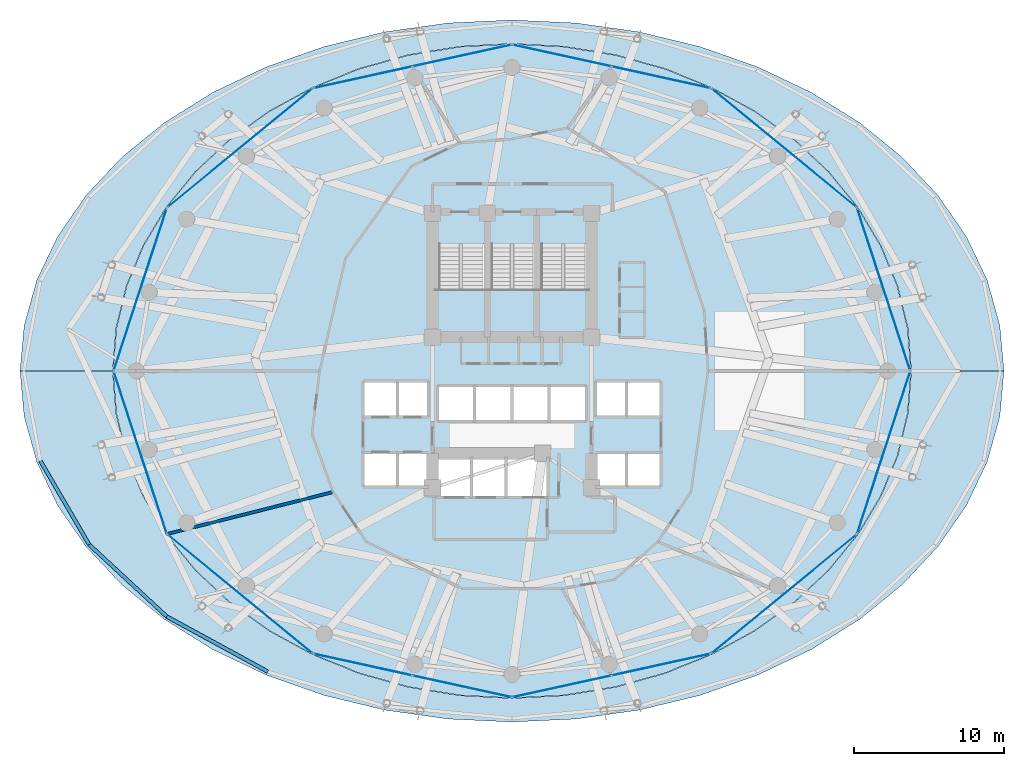
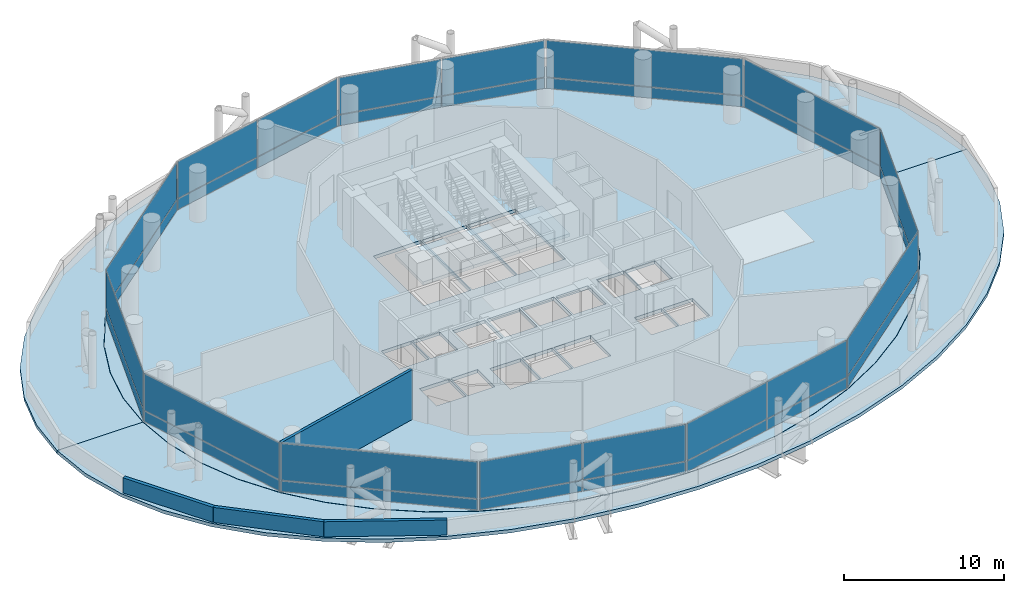
# One storey, part 28 of 37: 32 plates, 6 slabs, 4 walls, 15 elements without a shape of their own.
"""IFC4 building model written with IfcOpenShell, lengths in metres."""

from ifc_helpers import new_model, si_unit, direction, frame, frame_2d, origin, origin_2d, place, context, subcontext, project, spatial, polyline, rectangle, outline, extrude, material, layer, layer_set, type_object, element, aggregate, save


model = new_model("IFC4")

# Units and contexts
model_context = context("Model", 3, precision=1e-05, world=origin(), true_north=direction((0.0, 1.0)))
body_context = subcontext(model_context, "Body", "Model", "MODEL_VIEW")
ifc_project = project(units=[si_unit("LENGTHUNIT", "METRE"), si_unit("AREAUNIT", "SQUARE_METRE"), si_unit("VOLUMEUNIT", "CUBIC_METRE"), si_unit("PLANEANGLEUNIT", "RADIAN"), si_unit("MASSUNIT", "GRAM", prefix="KILO")], contexts=[model_context])

# Site, building, storey
site_placement = place(None, origin())
site = spatial("IfcSite", under=ifc_project, at=site_placement, CompositionType="ELEMENT")
building_placement = place(site_placement, origin())
building = spatial("IfcBuilding", under=site, at=building_placement, Name="Nuhasar Tower", CompositionType="ELEMENT")
storey_placement = place(building_placement, frame((0.0, 0.0, 21.0)))
storey = spatial("IfcBuildingStorey", under=building, at=storey_placement, Name="L04", CompositionType="ELEMENT", Elevation=21.0)

# Curtain wall, plate
ifc_material_1 = material(Name="Aluminium 6063-T6", Category="aluminium")
ifc_layer_1 = layer(ifc_material_1, 0.199951171875)
ifc_layer_set_1 = layer_set([ifc_layer_1], Name="Aluminium 6063-T6")
curtain_wall_type = type_object("IfcCurtainWallType", Name="CW-Z1-OFF", PredefinedType="NOTDEFINED", material=ifc_layer_set_1)
curtain_wall_1_placement = place(storey_placement, origin())
curtain_wall_1 = element("IfcCurtainWall", 1, at=curtain_wall_1_placement, inside=storey, type_object=curtain_wall_type, Name="L04 Unitised Curtain Wall 01", PredefinedType="NOTDEFINED")
ifc_material_2 = material(Name="Glass Double Low-E", Category="glass")
ifc_layer_2 = layer(ifc_material_2, 0.028076171875)
ifc_layer_set_2 = layer_set([ifc_layer_2], Name="Glass Double Low-E")
plate_type_1 = type_object("IfcPlateType", Name="CW-PANEL-GLZ", PredefinedType="CURTAIN_PANEL", material=ifc_layer_set_2)
plate_1_placement = place(storey_placement, frame((63.781005859375, 32.239990234375, 0.9326171875), z_axis=(0.0, 0.0, 1.0), x_axis=(-0.310823849997, 0.950467534571, 0.0)))
plate_1 = element("IfcPlate", 2, at=plate_1_placement, type_object=plate_type_1, Name="CW-Z1 panel 1.2", PredefinedType="CURTAIN_PANEL", context=body_context, shape_type="SweptSolid", body=[
    extrude(rectangle(XDim=11.31689453125, YDim=0.028076171875, at=origin_2d()), origin(), (0.0, 0.0, 1.0), 2.79248046875),
])

curtain_wall_2_placement = place(storey_placement, origin())
curtain_wall_2 = element("IfcCurtainWall", 3, at=curtain_wall_2_placement, inside=storey, type_object=curtain_wall_type, Name="L04 Unitised Curtain Wall 02", PredefinedType="NOTDEFINED")
plate_2_placement = place(storey_placement, frame((57.14111328125, 41.66259765625, 0.9326171875), z_axis=(0.0, 0.0, 1.0), x_axis=(-0.773542364946, 0.633744593376, 0.0)))
plate_2 = element("IfcPlate", 4, at=plate_2_placement, type_object=plate_type_1, Name="CW-Z1 panel 1.2", PredefinedType="CURTAIN_PANEL", context=body_context, shape_type="SweptSolid", body=[
    extrude(rectangle(XDim=12.438232421875, YDim=0.028076171875, at=origin_2d()), origin(), (0.0, 0.0, 1.0), 2.79248046875),
])

# Curtain wall, plates
curtain_wall_3_placement = place(storey_placement, origin())
curtain_wall_3 = element("IfcCurtainWall", 5, at=curtain_wall_3_placement, inside=storey, type_object=curtain_wall_type, Name="L04 Unitised Curtain Wall 03", PredefinedType="NOTDEFINED")
plate_3_placement = place(storey_placement, frame((48.944091796875, 46.377197265625, 0.9326171875), z_axis=(0.0, 0.0, 1.0), x_axis=(-0.976746221544, 0.214398737637, 0.0)))
plate_3 = element("IfcPlate", 6, at=plate_3_placement, type_object=plate_type_1, Name="CW-Z1 panel 1.2", PredefinedType="CURTAIN_PANEL", context=body_context, shape_type="SweptSolid", body=[
    extrude(rectangle(XDim=6.70068359375, YDim=0.028076171875, at=origin_2d()), origin(), (0.0, 0.0, 1.0), 2.79248046875),
])
plate_4_placement = place(storey_placement, frame((42.3359375, 47.827880859375, 0.9326171875), z_axis=(0.0, 0.0, 1.0), x_axis=(-0.976746221544, 0.214398737637, 0.0)))
plate_4 = element("IfcPlate", 7, at=plate_4_placement, type_object=plate_type_1, Name="CW-Z1 panel 2.2", PredefinedType="CURTAIN_PANEL", context=body_context, shape_type="SweptSolid", body=[
    extrude(rectangle(XDim=6.70068359375, YDim=0.028076171875, at=origin_2d()), origin(), (0.0, 0.0, 1.0), 2.79248046875),
])

curtain_wall_4_placement = place(storey_placement, origin())
curtain_wall_4 = element("IfcCurtainWall", 8, at=curtain_wall_4_placement, inside=storey, type_object=curtain_wall_type, Name="L04 Unitised Curtain Wall 04", PredefinedType="NOTDEFINED")
plate_5_placement = place(storey_placement, frame((35.6640625, 47.827880859375, 0.9326171875), z_axis=(0.0, 0.0, 1.0), x_axis=(-0.976746221544, -0.214398737637, 0.0)))
plate_5 = element("IfcPlate", 9, at=plate_5_placement, type_object=plate_type_1, Name="CW-Z1 panel 1.2", PredefinedType="CURTAIN_PANEL", context=body_context, shape_type="SweptSolid", body=[
    extrude(rectangle(XDim=6.70068359375, YDim=0.028076171875, at=origin_2d()), origin(), (0.0, 0.0, 1.0), 2.79248046875),
])
plate_6_placement = place(storey_placement, frame((29.055908203125, 46.377197265625, 0.9326171875), z_axis=(0.0, 0.0, 1.0), x_axis=(-0.976746221544, -0.214398737637, 0.0)))
plate_6 = element("IfcPlate", 10, at=plate_6_placement, type_object=plate_type_1, Name="CW-Z1 panel 2.2", PredefinedType="CURTAIN_PANEL", context=body_context, shape_type="SweptSolid", body=[
    extrude(rectangle(XDim=6.70068359375, YDim=0.028076171875, at=origin_2d()), origin(), (0.0, 0.0, 1.0), 2.79248046875),
])

# Curtain wall, plate
curtain_wall_5_placement = place(storey_placement, origin())
curtain_wall_5 = element("IfcCurtainWall", 11, at=curtain_wall_5_placement, inside=storey, type_object=curtain_wall_type, Name="L04 Unitised Curtain Wall 05", PredefinedType="NOTDEFINED")
plate_7_placement = place(storey_placement, frame((20.85888671875, 41.66259765625, 0.9326171875), z_axis=(0.0, 0.0, 1.0), x_axis=(-0.773542364946, -0.633744593376, 0.0)))
plate_7 = element("IfcPlate", 12, at=plate_7_placement, type_object=plate_type_1, Name="CW-Z1 panel 1.2", PredefinedType="CURTAIN_PANEL", context=body_context, shape_type="SweptSolid", body=[
    extrude(rectangle(XDim=12.438232421875, YDim=0.028076171875, at=origin_2d()), origin(), (0.0, 0.0, 1.0), 2.79248046875),
])

curtain_wall_6_placement = place(storey_placement, origin())
curtain_wall_6 = element("IfcCurtainWall", 13, at=curtain_wall_6_placement, inside=storey, type_object=curtain_wall_type, Name="L04 Unitised Curtain Wall 06", PredefinedType="NOTDEFINED")
plate_8_placement = place(storey_placement, frame((14.218994140625, 32.239990234375, 0.9326171875), z_axis=(0.0, 0.0, 1.0), x_axis=(-0.310823849997, -0.950467534571, 0.0)))
plate_8 = element("IfcPlate", 14, at=plate_8_placement, type_object=plate_type_1, Name="CW-Z1 panel 1.2", PredefinedType="CURTAIN_PANEL", context=body_context, shape_type="SweptSolid", body=[
    extrude(rectangle(XDim=11.31689453125, YDim=0.028076171875, at=origin_2d()), origin(), (0.0, 0.0, 1.0), 2.79248046875),
])

curtain_wall_7_placement = place(storey_placement, origin())
curtain_wall_7 = element("IfcCurtainWall", 15, at=curtain_wall_7_placement, inside=storey, type_object=curtain_wall_type, Name="L04 Unitised Curtain Wall 07", PredefinedType="NOTDEFINED")
plate_9_placement = place(storey_placement, frame((14.218994140625, 21.360107421875, 0.9326171875), z_axis=(0.0, 0.0, 1.0), x_axis=(0.310823849997, -0.950467534571, 0.0)))
plate_9 = element("IfcPlate", 16, at=plate_9_placement, type_object=plate_type_1, Name="CW-Z1 panel 1.2", PredefinedType="CURTAIN_PANEL", context=body_context, shape_type="SweptSolid", body=[
    extrude(rectangle(XDim=11.31689453125, YDim=0.028076171875, at=origin_2d()), origin(), (0.0, 0.0, 1.0), 2.79248046875),
])

curtain_wall_8_placement = place(storey_placement, origin())
curtain_wall_8 = element("IfcCurtainWall", 17, at=curtain_wall_8_placement, inside=storey, type_object=curtain_wall_type, Name="L04 Unitised Curtain Wall 08", PredefinedType="NOTDEFINED")
plate_10_placement = place(storey_placement, frame((20.85888671875, 11.9375, 0.9326171875), z_axis=(0.0, 0.0, 1.0), x_axis=(0.773542364946, -0.633744593376, 0.0)))
plate_10 = element("IfcPlate", 18, at=plate_10_placement, type_object=plate_type_1, Name="CW-Z1 panel 1.2", PredefinedType="CURTAIN_PANEL", context=body_context, shape_type="SweptSolid", body=[
    extrude(rectangle(XDim=12.438232421875, YDim=0.028076171875, at=origin_2d()), origin(), (0.0, 0.0, 1.0), 2.79248046875),
])

# Curtain wall, plates
curtain_wall_9_placement = place(storey_placement, origin())
curtain_wall_9 = element("IfcCurtainWall", 19, at=curtain_wall_9_placement, inside=storey, type_object=curtain_wall_type, Name="L04 Unitised Curtain Wall 09", PredefinedType="NOTDEFINED")
plate_11_placement = place(storey_placement, frame((29.055908203125, 7.22265625, 0.9326171875), z_axis=(0.0, 0.0, 1.0), x_axis=(0.976746221544, -0.214398737637, 0.0)))
plate_11 = element("IfcPlate", 20, at=plate_11_placement, type_object=plate_type_1, Name="CW-Z1 panel 1.2", PredefinedType="CURTAIN_PANEL", context=body_context, shape_type="SweptSolid", body=[
    extrude(rectangle(XDim=6.70068359375, YDim=0.028076171875, at=origin_2d()), origin(), (0.0, 0.0, 1.0), 2.79248046875),
])
plate_12_placement = place(storey_placement, frame((35.6640625, 5.772216796875, 0.9326171875), z_axis=(0.0, 0.0, 1.0), x_axis=(0.976746221544, -0.214398737637, 0.0)))
plate_12 = element("IfcPlate", 21, at=plate_12_placement, type_object=plate_type_1, Name="CW-Z1 panel 2.2", PredefinedType="CURTAIN_PANEL", context=body_context, shape_type="SweptSolid", body=[
    extrude(rectangle(XDim=6.70068359375, YDim=0.028076171875, at=origin_2d()), origin(), (0.0, 0.0, 1.0), 2.79248046875),
])

curtain_wall_10_placement = place(storey_placement, origin())
curtain_wall_10 = element("IfcCurtainWall", 22, at=curtain_wall_10_placement, inside=storey, type_object=curtain_wall_type, Name="L04 Unitised Curtain Wall 10", PredefinedType="NOTDEFINED")
plate_13_placement = place(storey_placement, frame((42.3359375, 5.772216796875, 0.9326171875), z_axis=(0.0, 0.0, 1.0), x_axis=(0.976746221544, 0.214398737637, 0.0)))
plate_13 = element("IfcPlate", 23, at=plate_13_placement, type_object=plate_type_1, Name="CW-Z1 panel 1.2", PredefinedType="CURTAIN_PANEL", context=body_context, shape_type="SweptSolid", body=[
    extrude(rectangle(XDim=6.70068359375, YDim=0.028076171875, at=origin_2d()), origin(), (0.0, 0.0, 1.0), 2.79248046875),
])
plate_14_placement = place(storey_placement, frame((48.944091796875, 7.22265625, 0.9326171875), z_axis=(0.0, 0.0, 1.0), x_axis=(0.976746221544, 0.214398737637, 0.0)))
plate_14 = element("IfcPlate", 24, at=plate_14_placement, type_object=plate_type_1, Name="CW-Z1 panel 2.2", PredefinedType="CURTAIN_PANEL", context=body_context, shape_type="SweptSolid", body=[
    extrude(rectangle(XDim=6.70068359375, YDim=0.028076171875, at=origin_2d()), origin(), (0.0, 0.0, 1.0), 2.79248046875),
])

# Curtain wall, plate
curtain_wall_11_placement = place(storey_placement, origin())
curtain_wall_11 = element("IfcCurtainWall", 25, at=curtain_wall_11_placement, inside=storey, type_object=curtain_wall_type, Name="L04 Unitised Curtain Wall 11", PredefinedType="NOTDEFINED")
plate_15_placement = place(storey_placement, frame((57.14111328125, 11.9375, 0.9326171875), z_axis=(0.0, 0.0, 1.0), x_axis=(0.773542364946, 0.633744593376, 0.0)))
plate_15 = element("IfcPlate", 26, at=plate_15_placement, type_object=plate_type_1, Name="CW-Z1 panel 1.2", PredefinedType="CURTAIN_PANEL", context=body_context, shape_type="SweptSolid", body=[
    extrude(rectangle(XDim=12.438232421875, YDim=0.028076171875, at=origin_2d()), origin(), (0.0, 0.0, 1.0), 2.79248046875),
])

curtain_wall_12_placement = place(storey_placement, origin())
curtain_wall_12 = element("IfcCurtainWall", 27, at=curtain_wall_12_placement, inside=storey, type_object=curtain_wall_type, Name="L04 Unitised Curtain Wall 12", PredefinedType="NOTDEFINED")
plate_16_placement = place(storey_placement, frame((63.781005859375, 21.360107421875, 0.9326171875), z_axis=(0.0, 0.0, 1.0), x_axis=(0.310823849997, 0.950467534571, 0.0)))
plate_16 = element("IfcPlate", 28, at=plate_16_placement, type_object=plate_type_1, Name="CW-Z1 panel 1.2", PredefinedType="CURTAIN_PANEL", context=body_context, shape_type="SweptSolid", body=[
    extrude(rectangle(XDim=11.31689453125, YDim=0.028076171875, at=origin_2d()), origin(), (0.0, 0.0, 1.0), 2.79248046875),
])

# Plate
ifc_material_3 = material(Name="Glass Spandrel", Category="glass")
ifc_layer_3 = layer(ifc_material_3, 0.035888671875)
ifc_layer_set_3 = layer_set([ifc_layer_3], Name="Glass Spandrel")
plate_type_2 = type_object("IfcPlateType", Name="CW-PANEL-SPN", PredefinedType="CURTAIN_PANEL", material=ifc_layer_set_3)
plate_17_placement = place(storey_placement, frame((63.781005859375, 32.239990234375, 0.06494140625), z_axis=(0.0, 0.0, 1.0), x_axis=(-0.310823849997, 0.950467534571, 0.0)))
plate_17 = element("IfcPlate", 29, at=plate_17_placement, type_object=plate_type_2, Name="CW-Z1 panel 1.1", PredefinedType="CURTAIN_PANEL", context=body_context, shape_type="SweptSolid", body=[
    extrude(rectangle(XDim=11.31689453125, YDim=0.035888671875, at=origin_2d()), origin(), (0.0, 0.0, 1.0), 0.802490234375),
])

aggregate(curtain_wall_1, [plate_17, plate_1])

plate_18_placement = place(storey_placement, frame((57.14111328125, 41.66259765625, 0.06494140625), z_axis=(0.0, 0.0, 1.0), x_axis=(-0.773542364946, 0.633744593376, 0.0)))
plate_18 = element("IfcPlate", 30, at=plate_18_placement, type_object=plate_type_2, Name="CW-Z1 panel 1.1", PredefinedType="CURTAIN_PANEL", context=body_context, shape_type="SweptSolid", body=[
    extrude(rectangle(XDim=12.438232421875, YDim=0.035888671875, at=origin_2d()), origin(), (0.0, 0.0, 1.0), 0.802490234375),
])

aggregate(curtain_wall_2, [plate_18, plate_2])

plate_19_placement = place(storey_placement, frame((48.944091796875, 46.377197265625, 0.06494140625), z_axis=(0.0, 0.0, 1.0), x_axis=(-0.976746221544, 0.214398737637, 0.0)))
plate_19 = element("IfcPlate", 31, at=plate_19_placement, type_object=plate_type_2, Name="CW-Z1 panel 1.1", PredefinedType="CURTAIN_PANEL", context=body_context, shape_type="SweptSolid", body=[
    extrude(rectangle(XDim=6.70068359375, YDim=0.035888671875, at=origin_2d()), origin(), (0.0, 0.0, 1.0), 0.802490234375),
])

plate_20_placement = place(storey_placement, frame((42.3359375, 47.827880859375, 0.06494140625), z_axis=(0.0, 0.0, 1.0), x_axis=(-0.976746221544, 0.214398737637, 0.0)))
plate_20 = element("IfcPlate", 32, at=plate_20_placement, type_object=plate_type_2, Name="CW-Z1 panel 2.1", PredefinedType="CURTAIN_PANEL", context=body_context, shape_type="SweptSolid", body=[
    extrude(rectangle(XDim=6.70068359375, YDim=0.035888671875, at=origin_2d()), origin(), (0.0, 0.0, 1.0), 0.802490234375),
])

aggregate(curtain_wall_3, [plate_19, plate_3, plate_20, plate_4])

plate_21_placement = place(storey_placement, frame((35.6640625, 47.827880859375, 0.06494140625), z_axis=(0.0, 0.0, 1.0), x_axis=(-0.976746221544, -0.214398737637, 0.0)))
plate_21 = element("IfcPlate", 33, at=plate_21_placement, type_object=plate_type_2, Name="CW-Z1 panel 1.1", PredefinedType="CURTAIN_PANEL", context=body_context, shape_type="SweptSolid", body=[
    extrude(rectangle(XDim=6.70068359375, YDim=0.035888671875, at=origin_2d()), origin(), (0.0, 0.0, 1.0), 0.802490234375),
])

plate_22_placement = place(storey_placement, frame((29.055908203125, 46.377197265625, 0.06494140625), z_axis=(0.0, 0.0, 1.0), x_axis=(-0.976746221544, -0.214398737637, 0.0)))
plate_22 = element("IfcPlate", 34, at=plate_22_placement, type_object=plate_type_2, Name="CW-Z1 panel 2.1", PredefinedType="CURTAIN_PANEL", context=body_context, shape_type="SweptSolid", body=[
    extrude(rectangle(XDim=6.70068359375, YDim=0.035888671875, at=origin_2d()), origin(), (0.0, 0.0, 1.0), 0.802490234375),
])

aggregate(curtain_wall_4, [plate_21, plate_5, plate_22, plate_6])

plate_23_placement = place(storey_placement, frame((20.85888671875, 41.66259765625, 0.06494140625), z_axis=(0.0, 0.0, 1.0), x_axis=(-0.773542364946, -0.633744593376, 0.0)))
plate_23 = element("IfcPlate", 35, at=plate_23_placement, type_object=plate_type_2, Name="CW-Z1 panel 1.1", PredefinedType="CURTAIN_PANEL", context=body_context, shape_type="SweptSolid", body=[
    extrude(rectangle(XDim=12.438232421875, YDim=0.035888671875, at=origin_2d()), origin(), (0.0, 0.0, 1.0), 0.802490234375),
])

aggregate(curtain_wall_5, [plate_23, plate_7])

plate_24_placement = place(storey_placement, frame((14.218994140625, 32.239990234375, 0.06494140625), z_axis=(0.0, 0.0, 1.0), x_axis=(-0.310823849997, -0.950467534571, 0.0)))
plate_24 = element("IfcPlate", 36, at=plate_24_placement, type_object=plate_type_2, Name="CW-Z1 panel 1.1", PredefinedType="CURTAIN_PANEL", context=body_context, shape_type="SweptSolid", body=[
    extrude(rectangle(XDim=11.31689453125, YDim=0.035888671875, at=origin_2d()), origin(), (0.0, 0.0, 1.0), 0.802490234375),
])

aggregate(curtain_wall_6, [plate_24, plate_8])

plate_25_placement = place(storey_placement, frame((14.218994140625, 21.360107421875, 0.06494140625), z_axis=(0.0, 0.0, 1.0), x_axis=(0.310823849997, -0.950467534571, 0.0)))
plate_25 = element("IfcPlate", 37, at=plate_25_placement, type_object=plate_type_2, Name="CW-Z1 panel 1.1", PredefinedType="CURTAIN_PANEL", context=body_context, shape_type="SweptSolid", body=[
    extrude(rectangle(XDim=11.31689453125, YDim=0.035888671875, at=origin_2d()), origin(), (0.0, 0.0, 1.0), 0.802490234375),
])

aggregate(curtain_wall_7, [plate_25, plate_9])

plate_26_placement = place(storey_placement, frame((20.85888671875, 11.9375, 0.06494140625), z_axis=(0.0, 0.0, 1.0), x_axis=(0.773542364946, -0.633744593376, 0.0)))
plate_26 = element("IfcPlate", 38, at=plate_26_placement, type_object=plate_type_2, Name="CW-Z1 panel 1.1", PredefinedType="CURTAIN_PANEL", context=body_context, shape_type="SweptSolid", body=[
    extrude(rectangle(XDim=12.438232421875, YDim=0.035888671875, at=origin_2d()), origin(), (0.0, 0.0, 1.0), 0.802490234375),
])

aggregate(curtain_wall_8, [plate_26, plate_10])

plate_27_placement = place(storey_placement, frame((29.055908203125, 7.22265625, 0.06494140625), z_axis=(0.0, 0.0, 1.0), x_axis=(0.976746221544, -0.214398737637, 0.0)))
plate_27 = element("IfcPlate", 39, at=plate_27_placement, type_object=plate_type_2, Name="CW-Z1 panel 1.1", PredefinedType="CURTAIN_PANEL", context=body_context, shape_type="SweptSolid", body=[
    extrude(rectangle(XDim=6.70068359375, YDim=0.035888671875, at=origin_2d()), origin(), (0.0, 0.0, 1.0), 0.802490234375),
])

plate_28_placement = place(storey_placement, frame((35.6640625, 5.772216796875, 0.06494140625), z_axis=(0.0, 0.0, 1.0), x_axis=(0.976746221544, -0.214398737637, 0.0)))
plate_28 = element("IfcPlate", 40, at=plate_28_placement, type_object=plate_type_2, Name="CW-Z1 panel 2.1", PredefinedType="CURTAIN_PANEL", context=body_context, shape_type="SweptSolid", body=[
    extrude(rectangle(XDim=6.70068359375, YDim=0.035888671875, at=origin_2d()), origin(), (0.0, 0.0, 1.0), 0.802490234375),
])

aggregate(curtain_wall_9, [plate_27, plate_11, plate_28, plate_12])

plate_29_placement = place(storey_placement, frame((42.3359375, 5.772216796875, 0.06494140625), z_axis=(0.0, 0.0, 1.0), x_axis=(0.976746221544, 0.214398737637, 0.0)))
plate_29 = element("IfcPlate", 41, at=plate_29_placement, type_object=plate_type_2, Name="CW-Z1 panel 1.1", PredefinedType="CURTAIN_PANEL", context=body_context, shape_type="SweptSolid", body=[
    extrude(rectangle(XDim=6.70068359375, YDim=0.035888671875, at=origin_2d()), origin(), (0.0, 0.0, 1.0), 0.802490234375),
])

plate_30_placement = place(storey_placement, frame((48.944091796875, 7.22265625, 0.06494140625), z_axis=(0.0, 0.0, 1.0), x_axis=(0.976746221544, 0.214398737637, 0.0)))
plate_30 = element("IfcPlate", 42, at=plate_30_placement, type_object=plate_type_2, Name="CW-Z1 panel 2.1", PredefinedType="CURTAIN_PANEL", context=body_context, shape_type="SweptSolid", body=[
    extrude(rectangle(XDim=6.70068359375, YDim=0.035888671875, at=origin_2d()), origin(), (0.0, 0.0, 1.0), 0.802490234375),
])

aggregate(curtain_wall_10, [plate_29, plate_13, plate_30, plate_14])

plate_31_placement = place(storey_placement, frame((57.14111328125, 11.9375, 0.06494140625), z_axis=(0.0, 0.0, 1.0), x_axis=(0.773542364946, 0.633744593376, 0.0)))
plate_31 = element("IfcPlate", 43, at=plate_31_placement, type_object=plate_type_2, Name="CW-Z1 panel 1.1", PredefinedType="CURTAIN_PANEL", context=body_context, shape_type="SweptSolid", body=[
    extrude(rectangle(XDim=12.438232421875, YDim=0.035888671875, at=origin_2d()), origin(), (0.0, 0.0, 1.0), 0.802490234375),
])

aggregate(curtain_wall_11, [plate_31, plate_15])

plate_32_placement = place(storey_placement, frame((63.781005859375, 21.360107421875, 0.06494140625), z_axis=(0.0, 0.0, 1.0), x_axis=(0.310823849997, 0.950467534571, 0.0)))
plate_32 = element("IfcPlate", 44, at=plate_32_placement, type_object=plate_type_2, Name="CW-Z1 panel 1.1", PredefinedType="CURTAIN_PANEL", context=body_context, shape_type="SweptSolid", body=[
    extrude(rectangle(XDim=11.31689453125, YDim=0.035888671875, at=origin_2d()), origin(), (0.0, 0.0, 1.0), 0.802490234375),
])

aggregate(curtain_wall_12, [plate_32, plate_16])

# Stair, slab
ifc_material_4 = material(Name="Concrete C45/55", Category="concrete")
stair_type_1 = type_object("IfcStairType", Name="STR-ST-01-2F-24R-1688", PredefinedType="HALF_TURN_STAIR", material=ifc_material_4)
stair_1_placement = place(storey_placement, origin())
stair_1 = element("IfcStair", 45, at=stair_1_placement, inside=storey, type_object=stair_type_1, Name="L04 Exit Stair ST-01", PredefinedType="HALF_TURN_STAIR")
ifc_layer_4 = layer(ifc_material_4, 0.239990234375)
ifc_layer_set_4 = layer_set([ifc_layer_4], Name="Concrete C45/55")
slab_type_1 = type_object("IfcSlabType", Name="SLB-STAIR-LND-240", PredefinedType="LANDING", material=ifc_layer_set_4)
slab_1_placement = place(storey_placement, frame((0.0, 0.0, 1.784912109375)))
slab_1 = element("IfcSlab", 46, at=slab_1_placement, type_object=slab_type_1, Name="ST-01 landing 1", PredefinedType="LANDING", context=body_context, shape_type="SweptSolid", body=[
    extrude(outline(polyline([(33.699951171875, 28.75), (37.35009765625, 28.75), (37.35009765625, 32.239990234375), (33.699951171875, 32.239990234375), (33.699951171875, 28.75)])), origin(), (0.0, 0.0, 1.0), 0.239990234375),
])
aggregate(stair_1, [slab_1])

stair_type_2 = type_object("IfcStairType", Name="STR-ST-03-2F-24R-1688", PredefinedType="HALF_TURN_STAIR", material=ifc_material_4)
stair_2_placement = place(storey_placement, origin())
stair_2 = element("IfcStair", 47, at=stair_2_placement, inside=storey, type_object=stair_type_2, Name="L04 Exit Stair ST-03", PredefinedType="HALF_TURN_STAIR")
slab_2_placement = place(storey_placement, frame((0.0, 0.0, 1.784912109375)))
slab_2 = element("IfcSlab", 48, at=slab_2_placement, type_object=slab_type_1, Name="ST-03 landing 1", PredefinedType="LANDING", context=body_context, shape_type="SweptSolid", body=[
    extrude(outline(polyline([(37.35009765625, 28.75), (40.64990234375, 28.75), (40.64990234375, 32.239990234375), (37.35009765625, 32.239990234375), (37.35009765625, 28.75)])), origin(), (0.0, 0.0, 1.0), 0.239990234375),
])
aggregate(stair_2, [slab_2])

stair_type_3 = type_object("IfcStairType", Name="STR-ST-02-2F-24R-1688", PredefinedType="HALF_TURN_STAIR", material=ifc_material_4)
stair_3_placement = place(storey_placement, origin())
stair_3 = element("IfcStair", 49, at=stair_3_placement, inside=storey, type_object=stair_type_3, Name="L04 Exit Stair ST-02", PredefinedType="HALF_TURN_STAIR")
slab_3_placement = place(storey_placement, frame((0.0, 0.0, 1.784912109375)))
slab_3 = element("IfcSlab", 50, at=slab_3_placement, type_object=slab_type_1, Name="ST-02 landing 1", PredefinedType="LANDING", context=body_context, shape_type="SweptSolid", body=[
    extrude(outline(polyline([(40.64990234375, 28.75), (44.300048828125, 28.75), (44.300048828125, 32.239990234375), (40.64990234375, 32.239990234375), (40.64990234375, 28.75)])), origin(), (0.0, 0.0, 1.0), 0.239990234375),
])
aggregate(stair_3, [slab_3])

# Slabs
ifc_material_5 = material(Name="Concrete C50/60", Category="concrete")
ifc_layer_5 = layer(ifc_material_5, 0.260009765625)
ifc_layer_set_5 = layer_set([ifc_layer_5], Name="Concrete C50/60")
slab_type_2 = type_object("IfcSlabType", Name="SLB-Z1A-260", PredefinedType="FLOOR", material=ifc_layer_set_5)
slab_4_placement = place(storey_placement, frame((0.0, 0.0, -0.260009765625)))
element("IfcSlab", 51, at=slab_4_placement, inside=storey, type_object=slab_type_2, Name="L04 Structural Slab", PredefinedType="FLOOR", context=body_context, shape_type="SweptSolid", body=[
    extrude(outline(polyline([(65.60009765625, 26.800048828125), (65.3720703125, 29.64501953125), (64.694091796875, 32.44189453125), (63.574951171875, 35.14208984375), (62.035888671875, 37.699951171875), (60.10302734375, 40.071044921875), (57.80908203125, 42.215087890625), (55.193115234375, 44.094970703125), (52.300048828125, 45.678955078125), (49.178955078125, 46.94091796875), (45.885009765625, 47.85693359375), (42.471923828125, 48.4130859375), (39.0, 48.60009765625), (35.528076171875, 48.4130859375), (32.114990234375, 47.85693359375), (28.821044921875, 46.94091796875), (25.699951171875, 45.678955078125), (22.806884765625, 44.094970703125), (20.19091796875, 42.215087890625), (17.89697265625, 40.071044921875), (15.964111328125, 37.699951171875), (14.425048828125, 35.14208984375), (13.305908203125, 32.44189453125), (12.6279296875, 29.64501953125), (12.39990234375, 26.800048828125), (12.6279296875, 23.955078125), (13.305908203125, 21.157958984375), (14.425048828125, 18.4580078125), (15.964111328125, 15.89990234375), (17.89697265625, 13.529052734375), (20.19091796875, 11.385009765625), (22.806884765625, 9.5048828125), (25.699951171875, 7.9208984375), (28.821044921875, 6.658935546875), (32.114990234375, 5.742919921875), (35.528076171875, 5.18701171875), (39.0, 5.0), (42.471923828125, 5.18701171875), (45.885009765625, 5.742919921875), (49.178955078125, 6.658935546875), (52.300048828125, 7.9208984375), (55.193115234375, 9.5048828125), (57.80908203125, 11.385009765625), (60.10302734375, 13.529052734375), (62.035888671875, 15.89990234375), (63.574951171875, 18.4580078125), (64.694091796875, 21.157958984375), (65.3720703125, 23.955078125), (65.60009765625, 26.800048828125)]), holes=[polyline([(33.8798828125, 35.25), (37.300048828125, 35.25), (37.300048828125, 29.0), (33.8798828125, 29.0), (33.8798828125, 35.25)]), polyline([(37.39990234375, 35.25), (40.60009765625, 35.25), (40.60009765625, 29.0), (37.39990234375, 29.0), (37.39990234375, 35.25)]), polyline([(40.699951171875, 35.25), (44.1201171875, 35.25), (44.1201171875, 29.0), (40.699951171875, 29.0), (40.699951171875, 35.25)]), polyline([(29.14990234375, 26.050048828125), (31.300048828125, 26.050048828125), (31.300048828125, 23.800048828125), (29.14990234375, 23.800048828125), (29.14990234375, 26.050048828125)]), polyline([(31.39990234375, 26.050048828125), (33.35009765625, 26.050048828125), (33.35009765625, 23.800048828125), (31.39990234375, 23.800048828125), (31.39990234375, 26.050048828125)]), polyline([(29.14990234375, 21.300048828125), (31.300048828125, 21.300048828125), (31.300048828125, 19.14990234375), (29.14990234375, 19.14990234375), (29.14990234375, 21.300048828125)]), polyline([(31.39990234375, 21.300048828125), (33.35009765625, 21.300048828125), (33.35009765625, 19.14990234375), (31.39990234375, 19.14990234375), (31.39990234375, 21.300048828125)]), polyline([(44.64990234375, 26.050048828125), (46.60009765625, 26.050048828125), (46.60009765625, 23.800048828125), (44.64990234375, 23.800048828125), (44.64990234375, 26.050048828125)]), polyline([(46.699951171875, 26.050048828125), (48.85009765625, 26.050048828125), (48.85009765625, 23.800048828125), (46.699951171875, 23.800048828125), (46.699951171875, 26.050048828125)]), polyline([(44.64990234375, 21.300048828125), (46.60009765625, 21.300048828125), (46.60009765625, 19.14990234375), (44.64990234375, 19.14990234375), (44.64990234375, 21.300048828125)]), polyline([(46.699951171875, 21.300048828125), (48.85009765625, 21.300048828125), (48.85009765625, 19.14990234375), (46.699951171875, 19.14990234375), (46.699951171875, 21.300048828125)]), polyline([(34.10009765625, 25.75), (36.43994140625, 25.75), (36.43994140625, 23.5), (34.10009765625, 23.5), (34.10009765625, 25.75)]), polyline([(36.580078125, 25.75), (38.919921875, 25.75), (38.919921875, 23.5), (36.580078125, 23.5), (36.580078125, 25.75)]), polyline([(39.06005859375, 25.75), (41.39990234375, 25.75), (41.39990234375, 23.5), (39.06005859375, 23.5), (39.06005859375, 25.75)]), polyline([(41.5400390625, 25.75), (43.8798828125, 25.75), (43.8798828125, 23.5), (41.5400390625, 23.5), (41.5400390625, 25.75)]), polyline([(34.050048828125, 21.0), (36.25, 21.0), (36.25, 18.449951171875), (34.050048828125, 18.449951171875), (34.050048828125, 21.0)]), polyline([(36.35009765625, 21.0), (38.550048828125, 21.0), (38.550048828125, 18.449951171875), (36.35009765625, 18.449951171875), (36.35009765625, 21.0)]), polyline([(38.64990234375, 21.0), (41.320068359375, 21.0), (41.320068359375, 18.449951171875), (38.64990234375, 18.449951171875), (38.64990234375, 21.0)])]), origin(), (0.0, 0.0, 1.0), 0.260009765625),
])
slab_5_placement = place(storey_placement, frame((0.0, 0.0, -0.260009765625)))
element("IfcSlab", 52, at=slab_5_placement, inside=storey, type_object=slab_type_2, Name="L04 Podium Roof Slab North", PredefinedType="FLOOR", context=body_context, shape_type="SweptSolid", body=[
    extrude(outline(polyline([(71.800048828125, 26.800048828125), (71.51904296875, 29.85400390625), (70.681884765625, 32.85595703125), (69.302978515625, 35.7548828125), (67.406005859375, 38.5), (65.02197265625, 41.044921875), (62.193115234375, 43.345947265625), (58.967041015625, 45.364013671875), (55.39990234375, 47.06494140625), (51.552001953125, 48.4189453125), (47.489013671875, 49.403076171875), (43.281005859375, 50.0), (39.0, 50.199951171875), (34.718994140625, 50.0), (30.510986328125, 49.403076171875), (26.447998046875, 48.4189453125), (22.60009765625, 47.06494140625), (19.032958984375, 45.364013671875), (15.806884765625, 43.345947265625), (12.97802734375, 41.044921875), (10.593994140625, 38.5), (8.697021484375, 35.7548828125), (7.318115234375, 32.85595703125), (6.48095703125, 29.85400390625), (6.199951171875, 26.800048828125), (12.3798828125, 26.800048828125), (12.60791015625, 29.64794921875), (13.287109375, 32.447021484375), (14.406005859375, 35.14990234375), (15.946044921875, 37.7099609375), (17.881103515625, 40.0830078125), (20.177001953125, 42.22900390625), (22.794921875, 44.111083984375), (25.68994140625, 45.697021484375), (28.81298828125, 46.958984375), (32.110107421875, 47.876953125), (35.52490234375, 48.43310546875), (39.0, 48.6201171875), (42.47509765625, 48.43310546875), (45.889892578125, 47.876953125), (49.18701171875, 46.958984375), (52.31005859375, 45.697021484375), (55.205078125, 44.111083984375), (57.822998046875, 42.22900390625), (60.118896484375, 40.0830078125), (62.053955078125, 37.7099609375), (63.593994140625, 35.14990234375), (64.712890625, 32.447021484375), (65.39208984375, 29.64794921875), (65.6201171875, 26.800048828125), (71.800048828125, 26.800048828125)])), origin(), (0.0, 0.0, 1.0), 0.260009765625),
])
slab_6_placement = place(storey_placement, frame((0.0, 0.0, -0.260009765625)))
element("IfcSlab", 53, at=slab_6_placement, inside=storey, type_object=slab_type_2, Name="L04 Podium Roof Slab South", PredefinedType="FLOOR", context=body_context, shape_type="SweptSolid", body=[
    extrude(outline(polyline([(6.199951171875, 26.800048828125), (6.48095703125, 23.74609375), (7.318115234375, 20.743896484375), (8.697021484375, 17.844970703125), (10.593994140625, 15.10009765625), (12.97802734375, 12.554931640625), (15.806884765625, 10.25390625), (19.032958984375, 8.236083984375), (22.60009765625, 6.534912109375), (26.447998046875, 5.180908203125), (30.510986328125, 4.197021484375), (34.718994140625, 3.60009765625), (39.0, 3.39990234375), (43.281005859375, 3.60009765625), (47.489013671875, 4.197021484375), (51.552001953125, 5.180908203125), (55.39990234375, 6.534912109375), (58.967041015625, 8.236083984375), (62.193115234375, 10.25390625), (65.02197265625, 12.554931640625), (67.406005859375, 15.10009765625), (69.302978515625, 17.844970703125), (70.681884765625, 20.743896484375), (71.51904296875, 23.74609375), (71.800048828125, 26.800048828125), (65.6201171875, 26.800048828125), (65.39208984375, 23.951904296875), (64.712890625, 21.153076171875), (63.593994140625, 18.449951171875), (62.053955078125, 15.889892578125), (60.118896484375, 13.51708984375), (57.822998046875, 11.37109375), (55.205078125, 9.489013671875), (52.31005859375, 7.903076171875), (49.18701171875, 6.64111328125), (45.889892578125, 5.722900390625), (42.47509765625, 5.1669921875), (39.0, 4.97998046875), (35.52490234375, 5.1669921875), (32.110107421875, 5.722900390625), (28.81298828125, 6.64111328125), (25.68994140625, 7.903076171875), (22.794921875, 9.489013671875), (20.177001953125, 11.37109375), (17.881103515625, 13.51708984375), (15.946044921875, 15.889892578125), (14.406005859375, 18.449951171875), (13.287109375, 21.153076171875), (12.60791015625, 23.951904296875), (12.3798828125, 26.800048828125), (6.199951171875, 26.800048828125)])), origin(), (0.0, 0.0, 1.0), 0.260009765625),
])

# Walls
ifc_layer_6 = layer(ifc_material_4, 0.239990234375)
ifc_layer_set_6 = layer_set([ifc_layer_6], Name="Concrete C45/55")
wall_type_1 = type_object("IfcWallType", Name="WL-PARAPET-240", PredefinedType="PARAPET", material=ifc_layer_set_6)
wall_1_placement = place(storey_placement, frame((7.55908203125, 20.80810546875, 0.0), z_axis=(0.0, 0.0, 1.0), x_axis=(0.503316458363, -0.864102159898, 0.0)))
element("IfcWall", 54, at=wall_1_placement, inside=storey, type_object=wall_type_1, Name="L04 Podium Roof Parapet 14", PredefinedType="PARAPET", context=body_context, shape_type="SweptSolid", body=[
    extrude(rectangle(XDim=6.4609375, YDim=0.239990234375, at=frame_2d((3.23046875, 0.0))), origin(), (0.0, 0.0, 1.0), 1.14990234375),
])
wall_2_placement = place(storey_placement, frame((10.81103515625, 15.22509765625, 0.0), z_axis=(0.0, 0.0, 1.0), x_axis=(0.733372632091, -0.679826876859, 0.0)))
element("IfcWall", 55, at=wall_2_placement, inside=storey, type_object=wall_type_1, Name="L04 Podium Roof Parapet 15", PredefinedType="PARAPET", context=body_context, shape_type="SweptSolid", body=[
    extrude(rectangle(XDim=7.053466796875, YDim=0.239990234375, at=frame_2d((3.52685546875, 0.0))), origin(), (0.0, 0.0, 1.0), 1.14990234375),
])
wall_3_placement = place(storey_placement, frame((15.98388671875, 10.429931640625, 0.0), z_axis=(0.0, 0.0, 1.0), x_axis=(0.877843323355, -0.47894790911, 0.0)))
element("IfcWall", 56, at=wall_3_placement, inside=storey, type_object=wall_type_1, Name="L04 Podium Roof Parapet 16", PredefinedType="PARAPET", context=body_context, shape_type="SweptSolid", body=[
    extrude(rectangle(XDim=7.67919921875, YDim=0.239990234375, at=frame_2d((3.839599609375, 0.0))), origin(), (0.0, 0.0, 1.0), 1.14990234375),
])
ifc_material_6 = material(Name="Concrete C40/50 precast", Category="concrete")
ifc_layer_7 = layer(ifc_material_6, 0.199951171875)
ifc_layer_set_7 = layer_set([ifc_layer_7], Name="Concrete C40/50 precast")
wall_type_2 = type_object("IfcWallType", Name="WL-UNIT-200", PredefinedType="PARTITIONING", material=ifc_layer_set_7)
wall_4_placement = place(storey_placement, frame((27.070068359375, 18.72998046875, 0.0), z_axis=(0.0, 0.0, 1.0), x_axis=(-0.969483223358, -0.245157662797, 0.0)))
element("IfcWall", 57, at=wall_4_placement, inside=storey, type_object=wall_type_2, Name="L04 Interior Partition ORAD-28", PredefinedType="PARTITIONING", context=body_context, shape_type="SweptSolid", body=[
    extrude(rectangle(XDim=11.388671875, YDim=0.199951171875, at=frame_2d((5.6943359375, 0.0))), origin(), (0.0, 0.0, 1.0), 3.7900390625),
])

save(model, "model.ifc")
